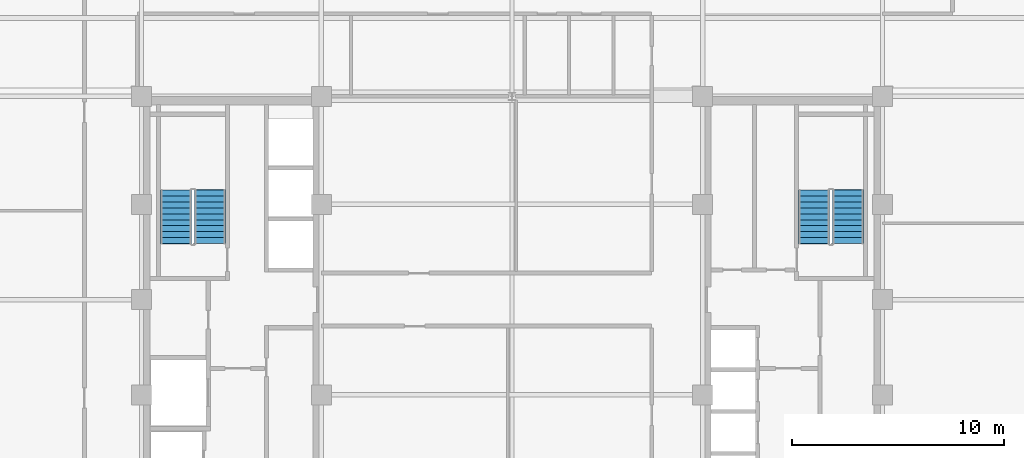
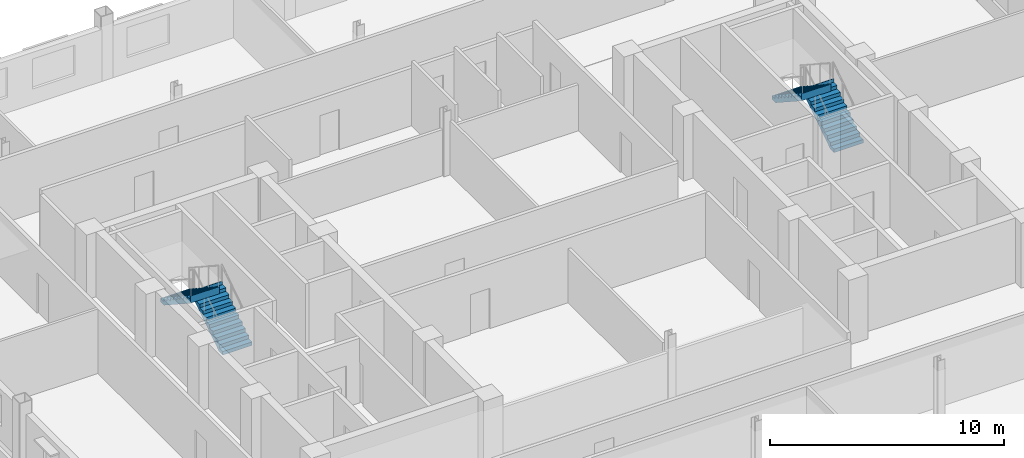
# One storey, part 10 of 14: 4 stair flights, 2 elements without a shape of their own.
"""IFC4 building model written with IfcOpenShell, lengths in metres."""

from ifc_helpers import new_model, si_unit, direction, frame, origin, place, context, subcontext, project, spatial, polyline, outline, extrude, material, type_object, element, aggregate, save


model = new_model("IFC4")

# Units and contexts
model_context = context("Model", 3, precision=1e-05, world=origin(), true_north=direction((0.0, 1.0)))
body_context = subcontext(model_context, "Body", "Model", "MODEL_VIEW")
ifc_project = project(units=[si_unit("LENGTHUNIT", "METRE"), si_unit("AREAUNIT", "SQUARE_METRE"), si_unit("VOLUMEUNIT", "CUBIC_METRE"), si_unit("PLANEANGLEUNIT", "RADIAN"), si_unit("MASSUNIT", "GRAM", prefix="KILO")], contexts=[model_context])

# Site, building, storey
site_placement = place(None, origin())
site = spatial("IfcSite", under=ifc_project, at=site_placement, CompositionType="ELEMENT")
building_placement = place(site_placement, origin())
building = spatial("IfcBuilding", under=site, at=building_placement, Name="Nuvemarco Arch Tower", CompositionType="ELEMENT")
storey_placement = place(building_placement, frame((0.0, 0.0, 145.75)))
storey = spatial("IfcBuildingStorey", under=building, at=storey_placement, Name="L38", CompositionType="ELEMENT", Elevation=145.75)

# Stair, stair flights
ifc_material = material(Name="Precast concrete C45/55", Category="concrete")
stair_type = type_object("IfcStairType", Name="ST-CORE-20R", PredefinedType="HALF_TURN_STAIR", material=ifc_material)
stair_1_placement = place(storey_placement, origin())
stair_1 = element("IfcStair", 1, at=stair_1_placement, inside=storey, type_object=stair_type, Name="L38 Protected Exit Stair ST-1", PredefinedType="HALF_TURN_STAIR")
stair_flight_type = type_object("IfcStairFlightType", Name="SF-CORE-20R", PredefinedType="STRAIGHT", material=ifc_material)
stair_flight_1_placement = place(storey_placement, frame((-14.264892578125, 2.64990234375, 0.0), z_axis=(0.0, 0.0, 1.0), x_axis=(0.0, 1.0, 0.0)))
stair_flight_1 = element("IfcStairFlight", 2, at=stair_flight_1_placement, type_object=stair_flight_type, Name="ST-20R flight 1", NumberOfRisers=10, NumberOfTreads=9, PredefinedType="STRAIGHT", RiserHeight=0.1825, TreadLength=0.28, context=body_context, shape_type="SweptSolid", body=[
    extrude(outline(polyline([(0.0, 0.0), (0.0, 0.1826171875), (0.280029296875, 0.1826171875), (0.280029296875, 0.364990234375), (0.56005859375, 0.364990234375), (0.56005859375, 0.547607421875), (0.840087890625, 0.547607421875), (0.840087890625, 0.72998046875), (1.1201171875, 0.72998046875), (1.1201171875, 0.91259765625), (1.39990234375, 0.91259765625), (1.39990234375, 1.094970703125), (1.679931640625, 1.094970703125), (1.679931640625, 1.277587890625), (1.9599609375, 1.277587890625), (1.9599609375, 1.4599609375), (2.239990234375, 1.4599609375), (2.239990234375, 1.642578125), (2.52001953125, 1.642578125), (2.52001953125, 1.824951171875), (2.5400390625, 1.824951171875), (2.5400390625, 1.45166015625), (0.312744140625, 0.0), (0.0, 0.0)])), frame((0.0, 0.72509765625, 0.0), z_axis=(0.0, -1.0, 0.0), x_axis=(1.0, 0.0, 0.0)), (0.0, 0.0, 1.0), 1.449951171875),
])
stair_flight_2_placement = place(storey_placement, frame((-15.875, 5.169921875, 1.824951171875), z_axis=(0.0, 0.0, 1.0), x_axis=(0.0, -1.0, 0.0)))
stair_flight_2 = element("IfcStairFlight", 3, at=stair_flight_2_placement, type_object=stair_flight_type, Name="ST-20R flight 2", NumberOfRisers=10, NumberOfTreads=9, PredefinedType="STRAIGHT", RiserHeight=0.1825, TreadLength=0.28, context=body_context, shape_type="SweptSolid", body=[
    extrude(outline(polyline([(0.0, 0.0), (0.0, 0.1826171875), (0.280029296875, 0.1826171875), (0.280029296875, 0.364990234375), (0.56005859375, 0.364990234375), (0.56005859375, 0.547607421875), (0.840087890625, 0.547607421875), (0.840087890625, 0.72998046875), (1.1201171875, 0.72998046875), (1.1201171875, 0.91259765625), (1.39990234375, 0.91259765625), (1.39990234375, 1.094970703125), (1.679931640625, 1.094970703125), (1.679931640625, 1.277587890625), (1.9599609375, 1.277587890625), (1.9599609375, 1.4599609375), (2.239990234375, 1.4599609375), (2.239990234375, 1.642578125), (2.52001953125, 1.642578125), (2.52001953125, 1.824951171875), (2.5400390625, 1.824951171875), (2.5400390625, 1.45166015625), (0.312744140625, 0.0), (0.0, 0.0)])), frame((0.0, 0.72509765625, 0.0), z_axis=(0.0, -1.0, 0.0), x_axis=(1.0, 0.0, 0.0)), (0.0, 0.0, 1.0), 1.449951171875),
])
aggregate(stair_1, [stair_flight_1, stair_flight_2])

stair_2_placement = place(storey_placement, origin())
stair_2 = element("IfcStair", 4, at=stair_2_placement, inside=storey, type_object=stair_type, Name="L38 Protected Exit Stair ST-2", PredefinedType="HALF_TURN_STAIR")
stair_flight_3_placement = place(storey_placement, frame((15.875, 2.64990234375, 0.0), z_axis=(0.0, 0.0, 1.0), x_axis=(0.0, 1.0, 0.0)))
stair_flight_3 = element("IfcStairFlight", 5, at=stair_flight_3_placement, type_object=stair_flight_type, Name="ST-20R flight 1", NumberOfRisers=10, NumberOfTreads=9, PredefinedType="STRAIGHT", RiserHeight=0.1825, TreadLength=0.28, context=body_context, shape_type="SweptSolid", body=[
    extrude(outline(polyline([(0.0, 0.0), (0.0, 0.1826171875), (0.280029296875, 0.1826171875), (0.280029296875, 0.364990234375), (0.56005859375, 0.364990234375), (0.56005859375, 0.547607421875), (0.840087890625, 0.547607421875), (0.840087890625, 0.72998046875), (1.1201171875, 0.72998046875), (1.1201171875, 0.91259765625), (1.39990234375, 0.91259765625), (1.39990234375, 1.094970703125), (1.679931640625, 1.094970703125), (1.679931640625, 1.277587890625), (1.9599609375, 1.277587890625), (1.9599609375, 1.4599609375), (2.239990234375, 1.4599609375), (2.239990234375, 1.642578125), (2.52001953125, 1.642578125), (2.52001953125, 1.824951171875), (2.5400390625, 1.824951171875), (2.5400390625, 1.45166015625), (0.312744140625, 0.0), (0.0, 0.0)])), frame((0.0, 0.72509765625, 0.0), z_axis=(0.0, -1.0, 0.0), x_axis=(1.0, 0.0, 0.0)), (0.0, 0.0, 1.0), 1.449951171875),
])
stair_flight_4_placement = place(storey_placement, frame((14.264892578125, 5.169921875, 1.824951171875), z_axis=(0.0, 0.0, 1.0), x_axis=(0.0, -1.0, 0.0)))
stair_flight_4 = element("IfcStairFlight", 6, at=stair_flight_4_placement, type_object=stair_flight_type, Name="ST-20R flight 2", NumberOfRisers=10, NumberOfTreads=9, PredefinedType="STRAIGHT", RiserHeight=0.1825, TreadLength=0.28, context=body_context, shape_type="SweptSolid", body=[
    extrude(outline(polyline([(0.0, 0.0), (0.0, 0.1826171875), (0.280029296875, 0.1826171875), (0.280029296875, 0.364990234375), (0.56005859375, 0.364990234375), (0.56005859375, 0.547607421875), (0.840087890625, 0.547607421875), (0.840087890625, 0.72998046875), (1.1201171875, 0.72998046875), (1.1201171875, 0.91259765625), (1.39990234375, 0.91259765625), (1.39990234375, 1.094970703125), (1.679931640625, 1.094970703125), (1.679931640625, 1.277587890625), (1.9599609375, 1.277587890625), (1.9599609375, 1.4599609375), (2.239990234375, 1.4599609375), (2.239990234375, 1.642578125), (2.52001953125, 1.642578125), (2.52001953125, 1.824951171875), (2.5400390625, 1.824951171875), (2.5400390625, 1.45166015625), (0.312744140625, 0.0), (0.0, 0.0)])), frame((0.0, 0.72509765625, 0.0), z_axis=(0.0, -1.0, 0.0), x_axis=(1.0, 0.0, 0.0)), (0.0, 0.0, 1.0), 1.449951171875),
])
aggregate(stair_2, [stair_flight_3, stair_flight_4])

save(model, "model.ifc")
